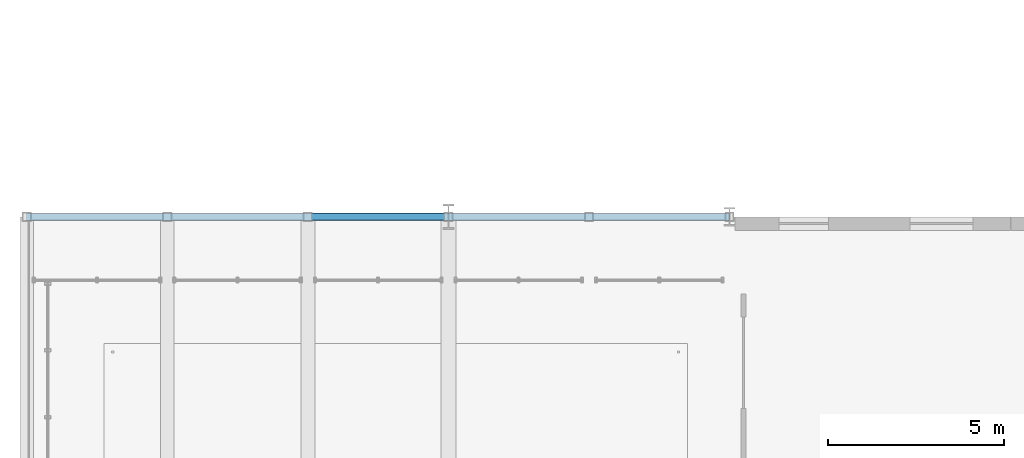
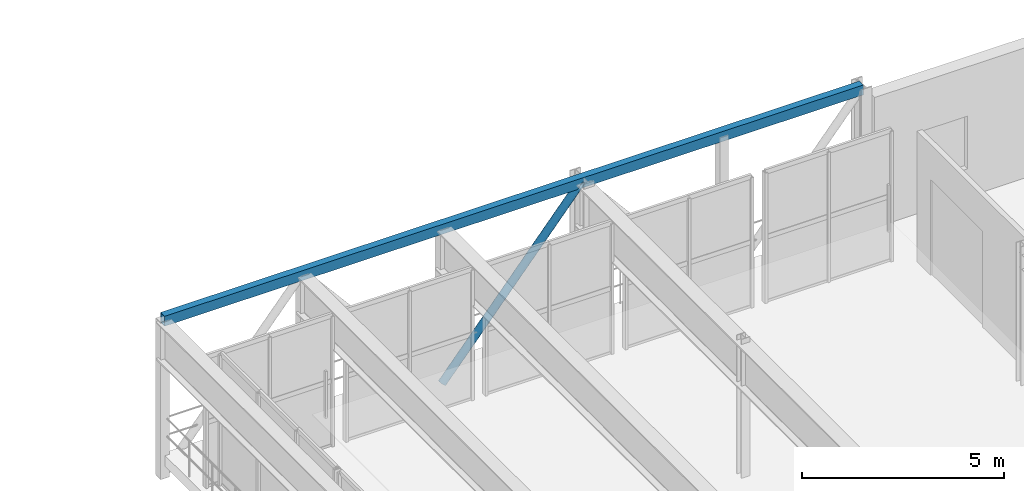
# One storey, part 31 of 124: 2 members.
"""IFC4 building model written with IfcOpenShell, lengths in metres."""

from ifc_helpers import new_model, si_unit, direction, frame, origin, origin_2d, place, context, subcontext, project, spatial, hollow_rectangle, hollow_circle, extrude, material, material_profile, profile_set, type_object, element, save


model = new_model("IFC4")

# Units and contexts
model_context = context("Model", 3, precision=1e-05, world=origin(), true_north=direction((0.0, 1.0)))
body_context = subcontext(model_context, "Body", "Model", "MODEL_VIEW")
ifc_project = project(units=[si_unit("LENGTHUNIT", "METRE"), si_unit("AREAUNIT", "SQUARE_METRE"), si_unit("VOLUMEUNIT", "CUBIC_METRE"), si_unit("PLANEANGLEUNIT", "RADIAN"), si_unit("MASSUNIT", "GRAM", prefix="KILO")], contexts=[model_context])

# Site, building, storey
site_placement = place(None, origin())
site = spatial("IfcSite", under=ifc_project, at=site_placement, CompositionType="ELEMENT")
building_placement = place(site_placement, origin())
building = spatial("IfcBuilding", under=site, at=building_placement, Name="Sundkrona Museum", CompositionType="ELEMENT")
storey_placement = place(building_placement, frame((0.0, 0.0, 17.60009765625)))
storey = spatial("IfcBuildingStorey", under=building, at=storey_placement, Name="L03", CompositionType="ELEMENT", Elevation=17.60009765625)

# Members
ifc_material_1 = material(Name="Steel S355J2", Category="steel")
ifc_material_profile_1 = material_profile(ifc_material_1, hollow_circle(Radius=0.109619140625, WallThickness=0.010009765625, at=origin_2d()), Name="CHS 219.1x10.0")
ifc_profile_set_1 = profile_set([ifc_material_profile_1], Name="Steel S355J2")
member_type_1 = type_object("IfcMemberType", Name="ST-CHS219", PredefinedType="STRUT", material=ifc_profile_set_1)
member_1_placement = place(storey_placement, frame((12.0, 54.0, -0.68017578125), z_axis=(0.645726672694, 0.0, 0.763568637499), x_axis=(0.0, 1.0, 0.0)))
element("IfcMember", 1, at=member_1_placement, inside=storey, type_object=member_type_1, Name="TRS-1 Cantilever Upper Pavilion N Diagonal 3", PredefinedType="STRUT", context=body_context, shape_type="SweptSolid", body=[
    extrude(hollow_circle(Radius=0.109619140625, WallThickness=0.010009765625, at=origin_2d()), origin(), (0.0, 0.0, 1.0), 6.194580078125),
])
ifc_material_2 = material(Name="Steel S460M", Category="steel")
ifc_material_profile_2 = material_profile(ifc_material_2, hollow_rectangle(XDim=0.199951171875, YDim=0.300048828125, WallThickness=0.012451171875, at=origin_2d()), Name="RHS 300x200x12.5")
ifc_profile_set_2 = profile_set([ifc_material_profile_2], Name="Steel S460M")
member_type_2 = type_object("IfcMemberType", Name="TC-RHS300", PredefinedType="CHORD", material=ifc_profile_set_2)
member_2_placement = place(storey_placement, frame((4.0, 54.0, 4.0498046875), z_axis=(1.0, 0.0, 0.0), x_axis=(0.0, 1.0, 0.0)))
element("IfcMember", 2, at=member_2_placement, inside=storey, type_object=member_type_2, Name="TRS-1 Cantilever Upper Pavilion N Roof Chord", PredefinedType="CHORD", context=body_context, shape_type="SweptSolid", body=[
    extrude(hollow_rectangle(XDim=0.199951171875, YDim=0.300048828125, WallThickness=0.012451171875, at=origin_2d()), origin(), (0.0, 0.0, 1.0), 20.0),
])

save(model, "model.ifc")
